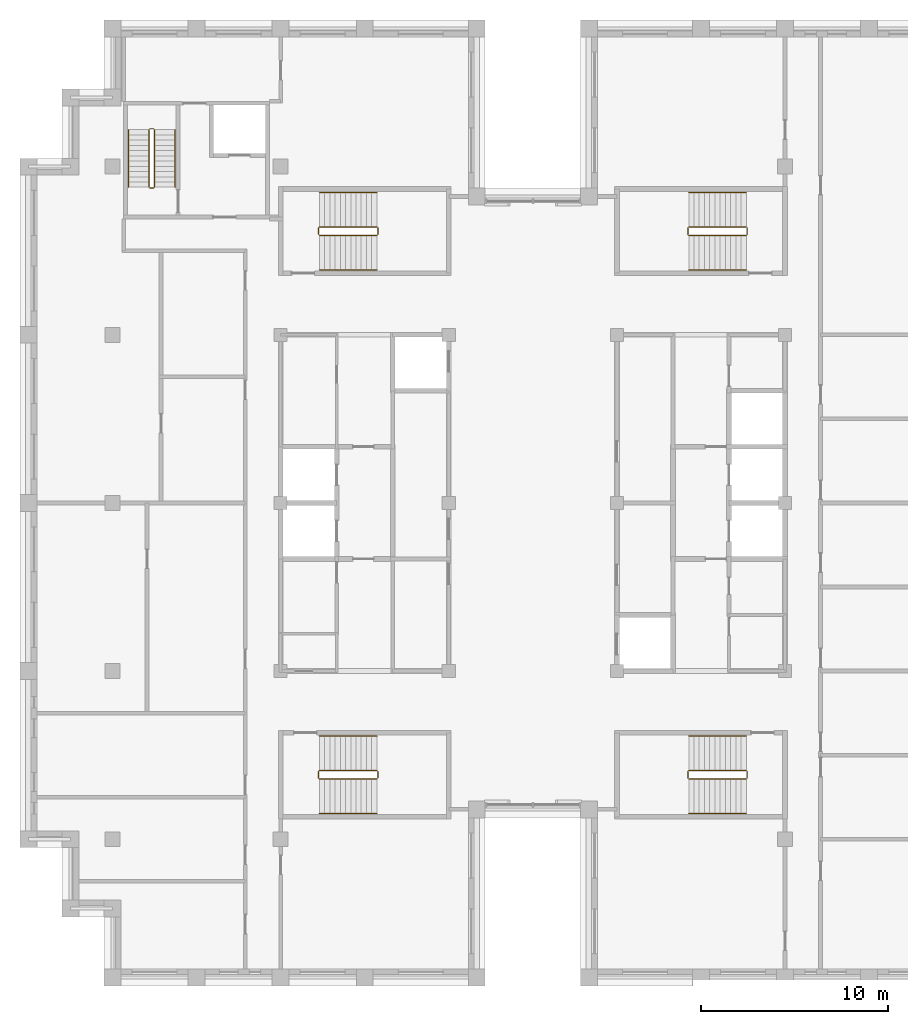
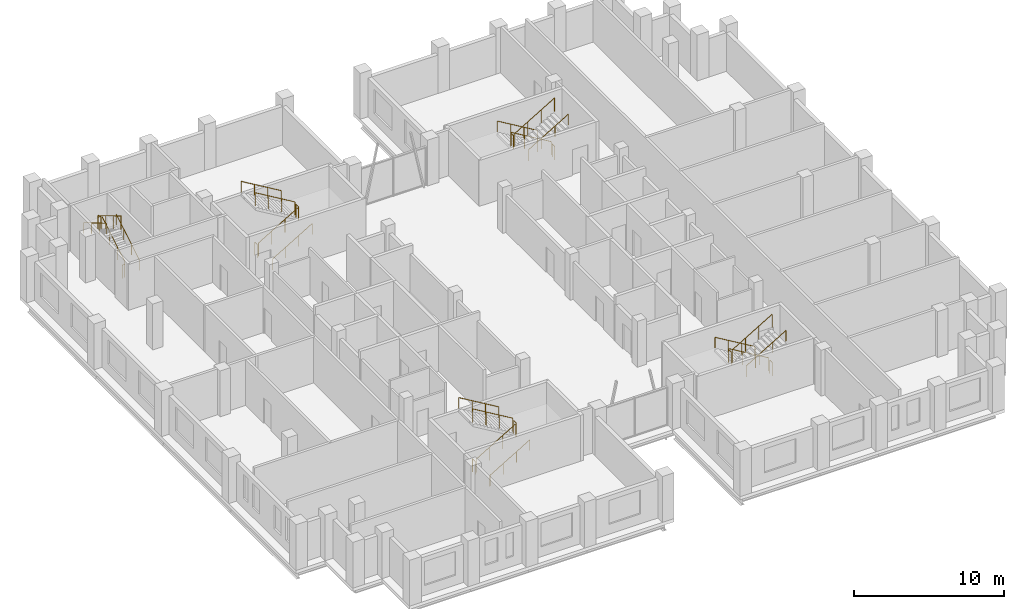
# One storey, part 13 of 13: 5 railings.
"""IFC4 building model written with IfcOpenShell, lengths in metres."""

from ifc_helpers import new_model, si_unit, direction, frame, origin, origin_2d, place, context, subcontext, project, spatial, circle, extrude, material, type_object, element, save


model = new_model("IFC4")

# Units and contexts
model_context = context("Model", 3, precision=1e-05, world=origin(), true_north=direction((0.0, 1.0)))
body_context = subcontext(model_context, "Body", "Model", "MODEL_VIEW")
ifc_project = project(units=[si_unit("LENGTHUNIT", "METRE"), si_unit("AREAUNIT", "SQUARE_METRE"), si_unit("VOLUMEUNIT", "CUBIC_METRE"), si_unit("PLANEANGLEUNIT", "RADIAN"), si_unit("MASSUNIT", "GRAM", prefix="KILO")], contexts=[model_context])

# Site, building, storey
site_placement = place(None, origin())
site = spatial("IfcSite", under=ifc_project, at=site_placement, CompositionType="ELEMENT")
building_placement = place(site_placement, origin())
building = spatial("IfcBuilding", under=site, at=building_placement, Name="Corbelhall Arena Tower", CompositionType="ELEMENT")
storey_placement = place(building_placement, frame((0.0, 0.0, 342.0)))
storey = spatial("IfcBuildingStorey", under=building, at=storey_placement, Name="L75", CompositionType="ELEMENT", Elevation=342.0)

# Railings
ifc_material = material(Name="Steel ASTM A500 Gr C", Category="steel")
railing_type = type_object("IfcRailingType", Name="IN-GD-1100", PredefinedType="GUARDRAIL", material=ifc_material)
railing_1_placement = place(storey_placement, frame((-11.425048828125, 14.324951171875, 0.166748046875)))
element("IfcRailing", 1, at=railing_1_placement, inside=storey, type_object=railing_type, Name="L75 ST1 stair guards and handrails", PredefinedType="GUARDRAIL", context=body_context, shape_type="SweptSolid", body=[
    extrude(circle(Radius=0.02392578125, at=origin_2d()), frame((0.0, 0.0, 1.076171875), z_axis=(0.859308565015, 0.0, 0.511457515432), x_axis=(0.0, 1.0, 0.0)), (0.0, 0.0, 1.0), 3.58447265625),
    extrude(circle(Radius=0.02392578125, at=origin_2d()), frame((3.130126953125, 0.050048828125, 2.9091796875), z_axis=(0.0, 1.0, 0.0), x_axis=(-1.0, 0.0, 0.0)), (0.0, 0.0, 1.0), 0.35009765625),
    extrude(circle(Radius=0.02392578125, at=origin_2d()), frame((3.080078125, 0.449951171875, 3.076171875), z_axis=(-0.859308565015, 0.0, 0.511457515432), x_axis=(0.0, -1.0, 0.0)), (0.0, 0.0, 1.0), 3.58447265625),
    extrude(circle(Radius=0.02392578125, at=origin_2d()), frame((-0.050048828125, 0.050048828125, 0.9091796875), z_axis=(0.0, 1.0, 0.0), x_axis=(-1.0, 0.0, 0.0)), (0.0, 0.0, 1.0), 0.35009765625),
    extrude(circle(Radius=0.02392578125, at=origin_2d()), frame((0.0, -1.849853515625, 0.8759765625), z_axis=(0.859308565015, 0.0, 0.511457515432), x_axis=(0.0, 1.0, 0.0)), (0.0, 0.0, 1.0), 3.58447265625),
    extrude(circle(Radius=0.02392578125, at=origin_2d()), frame((3.080078125, 2.300048828125, 2.8759765625), z_axis=(-0.859308565015, 0.0, 0.511457515432), x_axis=(0.0, -1.0, 0.0)), (0.0, 0.0, 1.0), 3.58447265625),
    extrude(circle(Radius=0.02099609375, at=origin_2d()), origin(), (0.0, 0.0, 1.0), 1.052001953125),
    extrude(circle(Radius=0.02099609375, at=origin_2d()), frame((1.026611328125, 0.0, 0.611083984375)), (0.0, 0.0, 1.0), 1.052001953125),
    extrude(circle(Radius=0.02099609375, at=origin_2d()), frame((2.053466796875, 0.0, 1.22216796875)), (0.0, 0.0, 1.0), 1.052001953125),
    extrude(circle(Radius=0.02099609375, at=origin_2d()), frame((3.080078125, 0.0, 1.833251953125)), (0.0, 0.0, 1.0), 1.052001953125),
    extrude(circle(Radius=0.02099609375, at=origin_2d()), frame((3.130126953125, 0.050048828125, 1.833251953125)), (0.0, 0.0, 1.0), 1.052001953125),
    extrude(circle(Radius=0.02099609375, at=origin_2d()), frame((3.130126953125, 0.400146484375, 1.833251953125)), (0.0, 0.0, 1.0), 1.052001953125),
    extrude(circle(Radius=0.02099609375, at=origin_2d()), frame((3.080078125, 0.449951171875, 2.0)), (0.0, 0.0, 1.0), 1.052001953125),
    extrude(circle(Radius=0.02099609375, at=origin_2d()), frame((2.053466796875, 0.449951171875, 2.611083984375)), (0.0, 0.0, 1.0), 1.052001953125),
    extrude(circle(Radius=0.02099609375, at=origin_2d()), frame((1.026611328125, 0.449951171875, 3.22216796875)), (0.0, 0.0, 1.0), 1.052001953125),
    extrude(circle(Radius=0.02099609375, at=origin_2d()), frame((0.0, 0.449951171875, 3.833251953125)), (0.0, 0.0, 1.0), 1.052001953125),
    extrude(circle(Radius=0.02099609375, at=origin_2d()), frame((-0.050048828125, 0.050048828125, -0.166748046875)), (0.0, 0.0, 1.0), 1.052001953125),
    extrude(circle(Radius=0.02099609375, at=origin_2d()), frame((-0.050048828125, 0.400146484375, -0.166748046875)), (0.0, 0.0, 1.0), 1.052001953125),
    extrude(circle(Radius=0.02099609375, at=origin_2d()), frame((0.0, -1.849853515625, 0.0)), (0.0, 0.0, 1.0), 0.851806640625),
    extrude(circle(Radius=0.02099609375, at=origin_2d()), frame((1.026611328125, -1.849853515625, 0.611083984375)), (0.0, 0.0, 1.0), 0.851806640625),
    extrude(circle(Radius=0.02099609375, at=origin_2d()), frame((2.053466796875, -1.849853515625, 1.22216796875)), (0.0, 0.0, 1.0), 0.851806640625),
    extrude(circle(Radius=0.02099609375, at=origin_2d()), frame((3.080078125, -1.849853515625, 1.833251953125)), (0.0, 0.0, 1.0), 0.851806640625),
    extrude(circle(Radius=0.02099609375, at=origin_2d()), frame((3.080078125, 2.300048828125, 2.0)), (0.0, 0.0, 1.0), 0.851806640625),
    extrude(circle(Radius=0.02099609375, at=origin_2d()), frame((2.053466796875, 2.300048828125, 2.611083984375)), (0.0, 0.0, 1.0), 0.851806640625),
    extrude(circle(Radius=0.02099609375, at=origin_2d()), frame((1.026611328125, 2.300048828125, 3.22216796875)), (0.0, 0.0, 1.0), 0.851806640625),
    extrude(circle(Radius=0.02099609375, at=origin_2d()), frame((0.0, 2.300048828125, 3.833251953125)), (0.0, 0.0, 1.0), 0.851806640625),
])
railing_2_placement = place(storey_placement, frame((-11.425048828125, -14.77490234375, 0.166748046875)))
element("IfcRailing", 2, at=railing_2_placement, inside=storey, type_object=railing_type, Name="L75 ST2 stair guards and handrails", PredefinedType="GUARDRAIL", context=body_context, shape_type="SweptSolid", body=[
    extrude(circle(Radius=0.02392578125, at=origin_2d()), frame((0.0, 0.0, 1.076171875), z_axis=(0.859308565015, 0.0, 0.511457515432), x_axis=(0.0, 1.0, 0.0)), (0.0, 0.0, 1.0), 3.58447265625),
    extrude(circle(Radius=0.02392578125, at=origin_2d()), frame((3.130126953125, 0.0498046875, 2.9091796875), z_axis=(0.0, 1.0, 0.0), x_axis=(-1.0, 0.0, 0.0)), (0.0, 0.0, 1.0), 0.35009765625),
    extrude(circle(Radius=0.02392578125, at=origin_2d()), frame((3.080078125, 0.449951171875, 3.076171875), z_axis=(-0.859308565015, 0.0, 0.511457515432), x_axis=(0.0, -1.0, 0.0)), (0.0, 0.0, 1.0), 3.58447265625),
    extrude(circle(Radius=0.02392578125, at=origin_2d()), frame((-0.050048828125, 0.0498046875, 0.9091796875), z_axis=(0.0, 1.0, 0.0), x_axis=(-1.0, 0.0, 0.0)), (0.0, 0.0, 1.0), 0.35009765625),
    extrude(circle(Radius=0.02392578125, at=origin_2d()), frame((0.0, -1.85009765625, 0.8759765625), z_axis=(0.859308565015, 0.0, 0.511457515432), x_axis=(0.0, 1.0, 0.0)), (0.0, 0.0, 1.0), 3.58447265625),
    extrude(circle(Radius=0.02392578125, at=origin_2d()), frame((3.080078125, 2.2998046875, 2.8759765625), z_axis=(-0.859308565015, 0.0, 0.511457515432), x_axis=(0.0, -1.0, 0.0)), (0.0, 0.0, 1.0), 3.58447265625),
    extrude(circle(Radius=0.02099609375, at=origin_2d()), origin(), (0.0, 0.0, 1.0), 1.052001953125),
    extrude(circle(Radius=0.02099609375, at=origin_2d()), frame((1.026611328125, 0.0, 0.611083984375)), (0.0, 0.0, 1.0), 1.052001953125),
    extrude(circle(Radius=0.02099609375, at=origin_2d()), frame((2.053466796875, 0.0, 1.22216796875)), (0.0, 0.0, 1.0), 1.052001953125),
    extrude(circle(Radius=0.02099609375, at=origin_2d()), frame((3.080078125, 0.0, 1.833251953125)), (0.0, 0.0, 1.0), 1.052001953125),
    extrude(circle(Radius=0.02099609375, at=origin_2d()), frame((3.130126953125, 0.0498046875, 1.833251953125)), (0.0, 0.0, 1.0), 1.052001953125),
    extrude(circle(Radius=0.02099609375, at=origin_2d()), frame((3.130126953125, 0.39990234375, 1.833251953125)), (0.0, 0.0, 1.0), 1.052001953125),
    extrude(circle(Radius=0.02099609375, at=origin_2d()), frame((3.080078125, 0.449951171875, 2.0)), (0.0, 0.0, 1.0), 1.052001953125),
    extrude(circle(Radius=0.02099609375, at=origin_2d()), frame((2.053466796875, 0.449951171875, 2.611083984375)), (0.0, 0.0, 1.0), 1.052001953125),
    extrude(circle(Radius=0.02099609375, at=origin_2d()), frame((1.026611328125, 0.449951171875, 3.22216796875)), (0.0, 0.0, 1.0), 1.052001953125),
    extrude(circle(Radius=0.02099609375, at=origin_2d()), frame((0.0, 0.449951171875, 3.833251953125)), (0.0, 0.0, 1.0), 1.052001953125),
    extrude(circle(Radius=0.02099609375, at=origin_2d()), frame((-0.050048828125, 0.0498046875, -0.166748046875)), (0.0, 0.0, 1.0), 1.052001953125),
    extrude(circle(Radius=0.02099609375, at=origin_2d()), frame((-0.050048828125, 0.39990234375, -0.166748046875)), (0.0, 0.0, 1.0), 1.052001953125),
    extrude(circle(Radius=0.02099609375, at=origin_2d()), frame((0.0, -1.85009765625, 0.0)), (0.0, 0.0, 1.0), 0.851806640625),
    extrude(circle(Radius=0.02099609375, at=origin_2d()), frame((1.026611328125, -1.85009765625, 0.611083984375)), (0.0, 0.0, 1.0), 0.851806640625),
    extrude(circle(Radius=0.02099609375, at=origin_2d()), frame((2.053466796875, -1.85009765625, 1.22216796875)), (0.0, 0.0, 1.0), 0.851806640625),
    extrude(circle(Radius=0.02099609375, at=origin_2d()), frame((3.080078125, -1.85009765625, 1.833251953125)), (0.0, 0.0, 1.0), 0.851806640625),
    extrude(circle(Radius=0.02099609375, at=origin_2d()), frame((3.080078125, 2.2998046875, 2.0)), (0.0, 0.0, 1.0), 0.851806640625),
    extrude(circle(Radius=0.02099609375, at=origin_2d()), frame((2.053466796875, 2.2998046875, 2.611083984375)), (0.0, 0.0, 1.0), 0.851806640625),
    extrude(circle(Radius=0.02099609375, at=origin_2d()), frame((1.026611328125, 2.2998046875, 3.22216796875)), (0.0, 0.0, 1.0), 0.851806640625),
    extrude(circle(Radius=0.02099609375, at=origin_2d()), frame((0.0, 2.2998046875, 3.833251953125)), (0.0, 0.0, 1.0), 0.851806640625),
])
railing_3_placement = place(storey_placement, frame((11.425048828125, 14.77490234375, 0.166748046875)))
element("IfcRailing", 3, at=railing_3_placement, inside=storey, type_object=railing_type, Name="L75 ST3 stair guards and handrails", PredefinedType="GUARDRAIL", context=body_context, shape_type="SweptSolid", body=[
    extrude(circle(Radius=0.02392578125, at=origin_2d()), frame((0.0, 0.0, 1.076171875), z_axis=(-0.859308565015, 0.0, 0.511457515432), x_axis=(0.0, -1.0, 0.0)), (0.0, 0.0, 1.0), 3.58447265625),
    extrude(circle(Radius=0.02392578125, at=origin_2d()), frame((-3.130126953125, -0.0498046875, 2.9091796875), z_axis=(0.0, -1.0, 0.0), x_axis=(1.0, 0.0, 0.0)), (0.0, 0.0, 1.0), 0.35009765625),
    extrude(circle(Radius=0.02392578125, at=origin_2d()), frame((-3.080078125, -0.449951171875, 3.076171875), z_axis=(0.859308565015, 0.0, 0.511457515432), x_axis=(0.0, 1.0, 0.0)), (0.0, 0.0, 1.0), 3.58447265625),
    extrude(circle(Radius=0.02392578125, at=origin_2d()), frame((0.050048828125, -0.0498046875, 0.9091796875), z_axis=(0.0, -1.0, 0.0), x_axis=(1.0, 0.0, 0.0)), (0.0, 0.0, 1.0), 0.35009765625),
    extrude(circle(Radius=0.02392578125, at=origin_2d()), frame((0.0, 1.85009765625, 0.8759765625), z_axis=(-0.859308565015, 0.0, 0.511457515432), x_axis=(0.0, -1.0, 0.0)), (0.0, 0.0, 1.0), 3.58447265625),
    extrude(circle(Radius=0.02392578125, at=origin_2d()), frame((-3.080078125, -2.2998046875, 2.8759765625), z_axis=(0.859308565015, 0.0, 0.511457515432), x_axis=(0.0, 1.0, 0.0)), (0.0, 0.0, 1.0), 3.58447265625),
    extrude(circle(Radius=0.02099609375, at=origin_2d()), origin(), (0.0, 0.0, 1.0), 1.052001953125),
    extrude(circle(Radius=0.02099609375, at=origin_2d()), frame((-1.026611328125, 0.0, 0.611083984375)), (0.0, 0.0, 1.0), 1.052001953125),
    extrude(circle(Radius=0.02099609375, at=origin_2d()), frame((-2.053466796875, 0.0, 1.22216796875)), (0.0, 0.0, 1.0), 1.052001953125),
    extrude(circle(Radius=0.02099609375, at=origin_2d()), frame((-3.080078125, 0.0, 1.833251953125)), (0.0, 0.0, 1.0), 1.052001953125),
    extrude(circle(Radius=0.02099609375, at=origin_2d()), frame((-3.130126953125, -0.0498046875, 1.833251953125)), (0.0, 0.0, 1.0), 1.052001953125),
    extrude(circle(Radius=0.02099609375, at=origin_2d()), frame((-3.130126953125, -0.39990234375, 1.833251953125)), (0.0, 0.0, 1.0), 1.052001953125),
    extrude(circle(Radius=0.02099609375, at=origin_2d()), frame((-3.080078125, -0.449951171875, 2.0)), (0.0, 0.0, 1.0), 1.052001953125),
    extrude(circle(Radius=0.02099609375, at=origin_2d()), frame((-2.053466796875, -0.449951171875, 2.611083984375)), (0.0, 0.0, 1.0), 1.052001953125),
    extrude(circle(Radius=0.02099609375, at=origin_2d()), frame((-1.026611328125, -0.449951171875, 3.22216796875)), (0.0, 0.0, 1.0), 1.052001953125),
    extrude(circle(Radius=0.02099609375, at=origin_2d()), frame((0.0, -0.449951171875, 3.833251953125)), (0.0, 0.0, 1.0), 1.052001953125),
    extrude(circle(Radius=0.02099609375, at=origin_2d()), frame((0.050048828125, -0.0498046875, -0.166748046875)), (0.0, 0.0, 1.0), 1.052001953125),
    extrude(circle(Radius=0.02099609375, at=origin_2d()), frame((0.050048828125, -0.39990234375, -0.166748046875)), (0.0, 0.0, 1.0), 1.052001953125),
    extrude(circle(Radius=0.02099609375, at=origin_2d()), frame((0.0, 1.85009765625, 0.0)), (0.0, 0.0, 1.0), 0.851806640625),
    extrude(circle(Radius=0.02099609375, at=origin_2d()), frame((-1.026611328125, 1.85009765625, 0.611083984375)), (0.0, 0.0, 1.0), 0.851806640625),
    extrude(circle(Radius=0.02099609375, at=origin_2d()), frame((-2.053466796875, 1.85009765625, 1.22216796875)), (0.0, 0.0, 1.0), 0.851806640625),
    extrude(circle(Radius=0.02099609375, at=origin_2d()), frame((-3.080078125, 1.85009765625, 1.833251953125)), (0.0, 0.0, 1.0), 0.851806640625),
    extrude(circle(Radius=0.02099609375, at=origin_2d()), frame((-3.080078125, -2.2998046875, 2.0)), (0.0, 0.0, 1.0), 0.851806640625),
    extrude(circle(Radius=0.02099609375, at=origin_2d()), frame((-2.053466796875, -2.2998046875, 2.611083984375)), (0.0, 0.0, 1.0), 0.851806640625),
    extrude(circle(Radius=0.02099609375, at=origin_2d()), frame((-1.026611328125, -2.2998046875, 3.22216796875)), (0.0, 0.0, 1.0), 0.851806640625),
    extrude(circle(Radius=0.02099609375, at=origin_2d()), frame((0.0, -2.2998046875, 3.833251953125)), (0.0, 0.0, 1.0), 0.851806640625),
])
railing_4_placement = place(storey_placement, frame((11.425048828125, -14.324951171875, 0.166748046875)))
element("IfcRailing", 4, at=railing_4_placement, inside=storey, type_object=railing_type, Name="L75 ST4 stair guards and handrails", PredefinedType="GUARDRAIL", context=body_context, shape_type="SweptSolid", body=[
    extrude(circle(Radius=0.02392578125, at=origin_2d()), frame((0.0, 0.0, 1.076171875), z_axis=(-0.859308565015, 0.0, 0.511457515432), x_axis=(0.0, -1.0, 0.0)), (0.0, 0.0, 1.0), 3.58447265625),
    extrude(circle(Radius=0.02392578125, at=origin_2d()), frame((-3.130126953125, -0.050048828125, 2.9091796875), z_axis=(0.0, -1.0, 0.0), x_axis=(1.0, 0.0, 0.0)), (0.0, 0.0, 1.0), 0.35009765625),
    extrude(circle(Radius=0.02392578125, at=origin_2d()), frame((-3.080078125, -0.449951171875, 3.076171875), z_axis=(0.859308565015, 0.0, 0.511457515432), x_axis=(0.0, 1.0, 0.0)), (0.0, 0.0, 1.0), 3.58447265625),
    extrude(circle(Radius=0.02392578125, at=origin_2d()), frame((0.050048828125, -0.050048828125, 0.9091796875), z_axis=(0.0, -1.0, 0.0), x_axis=(1.0, 0.0, 0.0)), (0.0, 0.0, 1.0), 0.35009765625),
    extrude(circle(Radius=0.02392578125, at=origin_2d()), frame((0.0, 1.849853515625, 0.8759765625), z_axis=(-0.859308565015, 0.0, 0.511457515432), x_axis=(0.0, -1.0, 0.0)), (0.0, 0.0, 1.0), 3.58447265625),
    extrude(circle(Radius=0.02392578125, at=origin_2d()), frame((-3.080078125, -2.300048828125, 2.8759765625), z_axis=(0.859308565015, 0.0, 0.511457515432), x_axis=(0.0, 1.0, 0.0)), (0.0, 0.0, 1.0), 3.58447265625),
    extrude(circle(Radius=0.02099609375, at=origin_2d()), origin(), (0.0, 0.0, 1.0), 1.052001953125),
    extrude(circle(Radius=0.02099609375, at=origin_2d()), frame((-1.026611328125, 0.0, 0.611083984375)), (0.0, 0.0, 1.0), 1.052001953125),
    extrude(circle(Radius=0.02099609375, at=origin_2d()), frame((-2.053466796875, 0.0, 1.22216796875)), (0.0, 0.0, 1.0), 1.052001953125),
    extrude(circle(Radius=0.02099609375, at=origin_2d()), frame((-3.080078125, 0.0, 1.833251953125)), (0.0, 0.0, 1.0), 1.052001953125),
    extrude(circle(Radius=0.02099609375, at=origin_2d()), frame((-3.130126953125, -0.050048828125, 1.833251953125)), (0.0, 0.0, 1.0), 1.052001953125),
    extrude(circle(Radius=0.02099609375, at=origin_2d()), frame((-3.130126953125, -0.400146484375, 1.833251953125)), (0.0, 0.0, 1.0), 1.052001953125),
    extrude(circle(Radius=0.02099609375, at=origin_2d()), frame((-3.080078125, -0.449951171875, 2.0)), (0.0, 0.0, 1.0), 1.052001953125),
    extrude(circle(Radius=0.02099609375, at=origin_2d()), frame((-2.053466796875, -0.449951171875, 2.611083984375)), (0.0, 0.0, 1.0), 1.052001953125),
    extrude(circle(Radius=0.02099609375, at=origin_2d()), frame((-1.026611328125, -0.449951171875, 3.22216796875)), (0.0, 0.0, 1.0), 1.052001953125),
    extrude(circle(Radius=0.02099609375, at=origin_2d()), frame((0.0, -0.449951171875, 3.833251953125)), (0.0, 0.0, 1.0), 1.052001953125),
    extrude(circle(Radius=0.02099609375, at=origin_2d()), frame((0.050048828125, -0.050048828125, -0.166748046875)), (0.0, 0.0, 1.0), 1.052001953125),
    extrude(circle(Radius=0.02099609375, at=origin_2d()), frame((0.050048828125, -0.400146484375, -0.166748046875)), (0.0, 0.0, 1.0), 1.052001953125),
    extrude(circle(Radius=0.02099609375, at=origin_2d()), frame((0.0, 1.849853515625, 0.0)), (0.0, 0.0, 1.0), 0.851806640625),
    extrude(circle(Radius=0.02099609375, at=origin_2d()), frame((-1.026611328125, 1.849853515625, 0.611083984375)), (0.0, 0.0, 1.0), 0.851806640625),
    extrude(circle(Radius=0.02099609375, at=origin_2d()), frame((-2.053466796875, 1.849853515625, 1.22216796875)), (0.0, 0.0, 1.0), 0.851806640625),
    extrude(circle(Radius=0.02099609375, at=origin_2d()), frame((-3.080078125, 1.849853515625, 1.833251953125)), (0.0, 0.0, 1.0), 0.851806640625),
    extrude(circle(Radius=0.02099609375, at=origin_2d()), frame((-3.080078125, -2.300048828125, 2.0)), (0.0, 0.0, 1.0), 0.851806640625),
    extrude(circle(Radius=0.02099609375, at=origin_2d()), frame((-2.053466796875, -2.300048828125, 2.611083984375)), (0.0, 0.0, 1.0), 0.851806640625),
    extrude(circle(Radius=0.02099609375, at=origin_2d()), frame((-1.026611328125, -2.300048828125, 3.22216796875)), (0.0, 0.0, 1.0), 0.851806640625),
    extrude(circle(Radius=0.02099609375, at=origin_2d()), frame((0.0, -2.300048828125, 3.833251953125)), (0.0, 0.0, 1.0), 0.851806640625),
])
railing_5_placement = place(storey_placement, frame((-20.2451171875, 16.89990234375, 0.166748046875)))
element("IfcRailing", 5, at=railing_5_placement, inside=storey, type_object=railing_type, Name="L75 ST5 stair guards and handrails", PredefinedType="GUARDRAIL", context=body_context, shape_type="SweptSolid", body=[
    extrude(circle(Radius=0.02392578125, at=origin_2d()), frame((0.0, 0.0, 1.076171875), z_axis=(0.0, 0.859308565015, 0.511457515432), x_axis=(-1.0, 0.0, 0.0)), (0.0, 0.0, 1.0), 3.58447265625),
    extrude(circle(Radius=0.02392578125, at=origin_2d()), frame((-0.0498046875, 3.130126953125, 2.9091796875), z_axis=(-1.0, 0.0, 0.0), x_axis=(0.0, -1.0, 0.0)), (0.0, 0.0, 1.0), 0.2001953125),
    extrude(circle(Radius=0.02392578125, at=origin_2d()), frame((-0.2998046875, 3.080078125, 3.076171875), z_axis=(0.0, -0.859308565015, 0.511457515432), x_axis=(1.0, 0.0, 0.0)), (0.0, 0.0, 1.0), 3.58447265625),
    extrude(circle(Radius=0.02392578125, at=origin_2d()), frame((-0.0498046875, -0.0498046875, 0.9091796875), z_axis=(-1.0, 0.0, 0.0), x_axis=(0.0, -1.0, 0.0)), (0.0, 0.0, 1.0), 0.2001953125),
    extrude(circle(Radius=0.02392578125, at=origin_2d()), frame((1.10009765625, 0.0, 0.8759765625), z_axis=(0.0, 0.859308565015, 0.511457515432), x_axis=(-1.0, 0.0, 0.0)), (0.0, 0.0, 1.0), 3.58447265625),
    extrude(circle(Radius=0.02392578125, at=origin_2d()), frame((-1.39990234375, 3.080078125, 2.8759765625), z_axis=(0.0, -0.859308565015, 0.511457515432), x_axis=(1.0, 0.0, 0.0)), (0.0, 0.0, 1.0), 3.58447265625),
    extrude(circle(Radius=0.02099609375, at=origin_2d()), origin(), (0.0, 0.0, 1.0), 1.052001953125),
    extrude(circle(Radius=0.02099609375, at=origin_2d()), frame((0.0, 1.026611328125, 0.611083984375)), (0.0, 0.0, 1.0), 1.052001953125),
    extrude(circle(Radius=0.02099609375, at=origin_2d()), frame((0.0, 2.053466796875, 1.22216796875)), (0.0, 0.0, 1.0), 1.052001953125),
    extrude(circle(Radius=0.02099609375, at=origin_2d()), frame((0.0, 3.080078125, 1.833251953125)), (0.0, 0.0, 1.0), 1.052001953125),
    extrude(circle(Radius=0.02099609375, at=origin_2d()), frame((-0.0498046875, 3.130126953125, 1.833251953125)), (0.0, 0.0, 1.0), 1.052001953125),
    extrude(circle(Radius=0.02099609375, at=origin_2d()), frame((-0.25, 3.130126953125, 1.833251953125)), (0.0, 0.0, 1.0), 1.052001953125),
    extrude(circle(Radius=0.02099609375, at=origin_2d()), frame((-0.2998046875, 3.080078125, 2.0)), (0.0, 0.0, 1.0), 1.052001953125),
    extrude(circle(Radius=0.02099609375, at=origin_2d()), frame((-0.2998046875, 2.053466796875, 2.611083984375)), (0.0, 0.0, 1.0), 1.052001953125),
    extrude(circle(Radius=0.02099609375, at=origin_2d()), frame((-0.2998046875, 1.026611328125, 3.22216796875)), (0.0, 0.0, 1.0), 1.052001953125),
    extrude(circle(Radius=0.02099609375, at=origin_2d()), frame((-0.2998046875, 0.0, 3.833251953125)), (0.0, 0.0, 1.0), 1.052001953125),
    extrude(circle(Radius=0.02099609375, at=origin_2d()), frame((-0.0498046875, -0.0498046875, -0.166748046875)), (0.0, 0.0, 1.0), 1.052001953125),
    extrude(circle(Radius=0.02099609375, at=origin_2d()), frame((-0.25, -0.0498046875, -0.166748046875)), (0.0, 0.0, 1.0), 1.052001953125),
    extrude(circle(Radius=0.02099609375, at=origin_2d()), frame((1.10009765625, 0.0, 0.0)), (0.0, 0.0, 1.0), 0.851806640625),
    extrude(circle(Radius=0.02099609375, at=origin_2d()), frame((1.10009765625, 1.026611328125, 0.611083984375)), (0.0, 0.0, 1.0), 0.851806640625),
    extrude(circle(Radius=0.02099609375, at=origin_2d()), frame((1.10009765625, 2.053466796875, 1.22216796875)), (0.0, 0.0, 1.0), 0.851806640625),
    extrude(circle(Radius=0.02099609375, at=origin_2d()), frame((1.10009765625, 3.080078125, 1.833251953125)), (0.0, 0.0, 1.0), 0.851806640625),
    extrude(circle(Radius=0.02099609375, at=origin_2d()), frame((-1.39990234375, 3.080078125, 2.0)), (0.0, 0.0, 1.0), 0.851806640625),
    extrude(circle(Radius=0.02099609375, at=origin_2d()), frame((-1.39990234375, 2.053466796875, 2.611083984375)), (0.0, 0.0, 1.0), 0.851806640625),
    extrude(circle(Radius=0.02099609375, at=origin_2d()), frame((-1.39990234375, 1.026611328125, 3.22216796875)), (0.0, 0.0, 1.0), 0.851806640625),
    extrude(circle(Radius=0.02099609375, at=origin_2d()), frame((-1.39990234375, 0.0, 3.833251953125)), (0.0, 0.0, 1.0), 0.851806640625),
])

save(model, "model.ifc")
